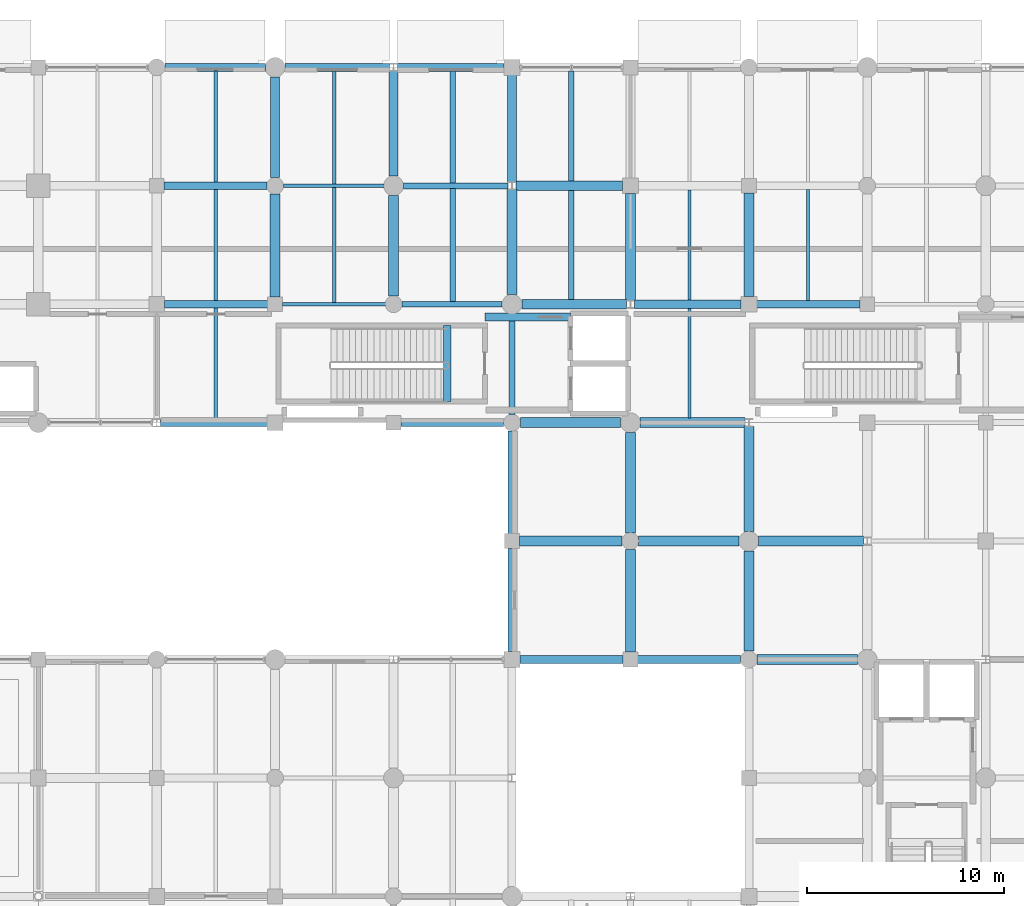
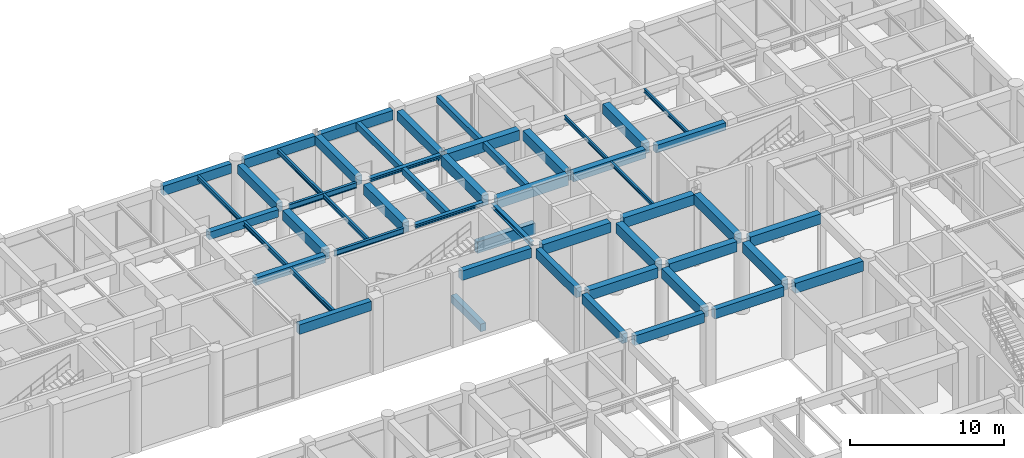
# One storey, part 65 of 106: 52 beams.
"""IFC4 building model written with IfcOpenShell, lengths in metres."""

from ifc_helpers import new_model, si_unit, direction, frame, origin, origin_2d, place, context, subcontext, project, spatial, rectangle, i_section, extrude, material, material_profile, profile_set, type_object, element, save


model = new_model("IFC4")

# Units and contexts
model_context = context("Model", 3, precision=1e-05, world=origin(), true_north=direction((0.0, 1.0)))
body_context = subcontext(model_context, "Body", "Model", "MODEL_VIEW")
ifc_project = project(units=[si_unit("LENGTHUNIT", "METRE"), si_unit("AREAUNIT", "SQUARE_METRE"), si_unit("VOLUMEUNIT", "CUBIC_METRE"), si_unit("PLANEANGLEUNIT", "RADIAN"), si_unit("MASSUNIT", "GRAM", prefix="KILO"), si_unit("THERMODYNAMICTEMPERATUREUNIT", "KELVIN"), si_unit("POWERUNIT", "WATT")], contexts=[model_context])

# Site, building, storey
site_placement = place(None, origin())
site = spatial("IfcSite", under=ifc_project, at=site_placement, CompositionType="ELEMENT")
building_placement = place(site_placement, origin())
building = spatial("IfcBuilding", under=site, at=building_placement, Name="Phaisarnlok Congress Hotel", CompositionType="ELEMENT")
storey_placement = place(building_placement, origin())
storey = spatial("IfcBuildingStorey", under=building, at=storey_placement, Name="L00", CompositionType="ELEMENT", Elevation=0.0)

# Beams
ifc_material_1 = material(Name="Concrete C40/50", Category="concrete")
ifc_material_profile_1 = material_profile(ifc_material_1, rectangle(XDim=0.39990234375, YDim=0.60009765625, at=origin_2d()), Name="RC 400x600")
ifc_profile_set_1 = profile_set([ifc_material_profile_1], Name="Concrete C40/50")
beam_type_1 = type_object("IfcBeamType", Name="BM-RC-400x600", PredefinedType="BEAM", material=ifc_profile_set_1)
beam_1_placement = place(storey_placement, frame((126.39501953125, 114.0, 5.43994140625), z_axis=(1.0, 0.0, 0.0), x_axis=(0.0, 1.0, 0.0)))
element("IfcBeam", 1, at=beam_1_placement, inside=storey, type_object=beam_type_1, Name="Beam B-02", PredefinedType="BEAM", context=body_context, shape_type="SweptSolid", body=[
    extrude(rectangle(XDim=0.39990234375, YDim=0.60009765625, at=origin_2d()), origin(), (0.0, 0.0, 1.0), 5.23486328125),
])
beam_2_placement = place(storey_placement, frame((126.3701171875, 120.0, 5.43994140625), z_axis=(1.0, 0.0, 0.0), x_axis=(0.0, 1.0, 0.0)))
element("IfcBeam", 2, at=beam_2_placement, inside=storey, type_object=beam_type_1, Name="Beam B-02", PredefinedType="BEAM", context=body_context, shape_type="SweptSolid", body=[
    extrude(rectangle(XDim=0.39990234375, YDim=0.60009765625, at=origin_2d()), origin(), (0.0, 0.0, 1.0), 5.2099609375),
])
beam_3_placement = place(storey_placement, frame((156.39501953125, 114.0, 5.43994140625), z_axis=(1.0, 0.0, 0.0), x_axis=(0.0, 1.0, 0.0)))
element("IfcBeam", 3, at=beam_3_placement, inside=storey, type_object=beam_type_1, Name="Beam B-02", PredefinedType="BEAM", context=body_context, shape_type="SweptSolid", body=[
    extrude(rectangle(XDim=0.39990234375, YDim=0.60009765625, at=origin_2d()), origin(), (0.0, 0.0, 1.0), 5.23486328125),
])
beam_4_placement = place(storey_placement, frame((140.719970703125, 109.080078125, -0.300048828125), z_axis=(0.0, 1.0, 0.0), x_axis=(-1.0, 0.0, 0.0)))
element("IfcBeam", 4, at=beam_4_placement, inside=storey, type_object=beam_type_1, Name="Stair landing header beam B-02 (CORE-2 L00)", PredefinedType="BEAM", context=body_context, shape_type="SweptSolid", body=[
    extrude(rectangle(XDim=0.39990234375, YDim=0.60009765625, at=origin_2d()), origin(), (0.0, 0.0, 1.0), 3.83984375),
])
ifc_material_profile_2 = material_profile(ifc_material_1, rectangle(XDim=0.449951171875, YDim=0.699951171875, at=origin_2d()), Name="RC 450x700")
ifc_profile_set_2 = profile_set([ifc_material_profile_2], Name="Concrete C40/50")
beam_type_2 = type_object("IfcBeamType", Name="BM-RC-450x700", PredefinedType="BEAM", material=ifc_profile_set_2)
beam_5_placement = place(storey_placement, frame((132.0, 120.419921875, 5.389892578125), z_axis=(0.0, 1.0, 0.0), x_axis=(-1.0, 0.0, 0.0)))
element("IfcBeam", 5, at=beam_5_placement, inside=storey, type_object=beam_type_2, Name="Beam B-03", PredefinedType="BEAM", context=body_context, shape_type="SweptSolid", body=[
    extrude(rectangle(XDim=0.449951171875, YDim=0.699951171875, at=origin_2d()), origin(), (0.0, 0.0, 1.0), 5.0849609375),
])
beam_6_placement = place(storey_placement, frame((138.0, 120.4951171875, 5.389892578125), z_axis=(0.0, 1.0, 0.0), x_axis=(-1.0, 0.0, 0.0)))
element("IfcBeam", 6, at=beam_6_placement, inside=storey, type_object=beam_type_2, Name="Beam B-03", PredefinedType="BEAM", context=body_context, shape_type="SweptSolid", body=[
    extrude(rectangle(XDim=0.449951171875, YDim=0.699951171875, at=origin_2d()), origin(), (0.0, 0.0, 1.0), 5.310302734375),
])
beam_7_placement = place(storey_placement, frame((144.0, 120.194580078125, 5.389892578125), z_axis=(0.0, 1.0, 0.0), x_axis=(-1.0, 0.0, 0.0)))
element("IfcBeam", 7, at=beam_7_placement, inside=storey, type_object=beam_type_2, Name="Beam B-03", PredefinedType="BEAM", context=body_context, shape_type="SweptSolid", body=[
    extrude(rectangle(XDim=0.449951171875, YDim=0.699951171875, at=origin_2d()), origin(), (0.0, 0.0, 1.0), 5.410400390625),
])
beam_8_placement = place(storey_placement, frame((150.195556640625, 114.0, 5.389892578125), z_axis=(1.0, 0.0, 0.0), x_axis=(0.0, 1.0, 0.0)))
element("IfcBeam", 8, at=beam_8_placement, inside=storey, type_object=beam_type_2, Name="Beam B-03", PredefinedType="BEAM", context=body_context, shape_type="SweptSolid", body=[
    extrude(rectangle(XDim=0.449951171875, YDim=0.699951171875, at=origin_2d()), origin(), (0.0, 0.0, 1.0), 5.409423828125),
])
ifc_material_profile_3 = material_profile(ifc_material_1, rectangle(XDim=0.5, YDim=0.800048828125, at=origin_2d()), Name="RC 500x800")
ifc_profile_set_3 = profile_set([ifc_material_profile_3], Name="Concrete C40/50")
beam_type_3 = type_object("IfcBeamType", Name="BM-RC-500x800", PredefinedType="BEAM", material=ifc_profile_set_3)
beam_9_placement = place(storey_placement, frame((132.0, 114.3701171875, 5.340087890625), z_axis=(0.0, 1.0, 0.0), x_axis=(-1.0, 0.0, 0.0)))
element("IfcBeam", 9, at=beam_9_placement, inside=storey, type_object=beam_type_3, Name="Beam B-04", PredefinedType="BEAM", context=body_context, shape_type="SweptSolid", body=[
    extrude(rectangle(XDim=0.5, YDim=0.800048828125, at=origin_2d()), origin(), (0.0, 0.0, 1.0), 5.2099609375),
])
beam_10_placement = place(storey_placement, frame((138.0, 114.419921875, 5.340087890625), z_axis=(0.0, 1.0, 0.0), x_axis=(-1.0, 0.0, 0.0)))
element("IfcBeam", 10, at=beam_10_placement, inside=storey, type_object=beam_type_3, Name="Beam B-04", PredefinedType="BEAM", context=body_context, shape_type="SweptSolid", body=[
    extrude(rectangle(XDim=0.5, YDim=0.800048828125, at=origin_2d()), origin(), (0.0, 0.0, 1.0), 5.0849609375),
])
beam_11_placement = place(storey_placement, frame((144.3701171875, 102.0, 5.360107421875), z_axis=(1.0, 0.0, 0.0), x_axis=(0.0, 1.0, 0.0)))
element("IfcBeam", 11, at=beam_11_placement, inside=storey, type_object=beam_type_3, Name="Beam B-04", PredefinedType="BEAM", context=body_context, shape_type="SweptSolid", body=[
    extrude(rectangle(XDim=0.5, YDim=0.800048828125, at=origin_2d()), origin(), (0.0, 0.0, 1.0), 5.2099609375),
])
beam_12_placement = place(storey_placement, frame((144.419921875, 108.0, 5.340087890625), z_axis=(1.0, 0.0, 0.0), x_axis=(0.0, 1.0, 0.0)))
element("IfcBeam", 12, at=beam_12_placement, inside=storey, type_object=beam_type_3, Name="Beam B-04", PredefinedType="BEAM", context=body_context, shape_type="SweptSolid", body=[
    extrude(rectangle(XDim=0.5, YDim=0.800048828125, at=origin_2d()), origin(), (0.0, 0.0, 1.0), 5.0849609375),
])
beam_13_placement = place(storey_placement, frame((144.4951171875, 114.0, 5.340087890625), z_axis=(1.0, 0.0, 0.0), x_axis=(0.0, 1.0, 0.0)))
element("IfcBeam", 13, at=beam_13_placement, inside=storey, type_object=beam_type_3, Name="Beam B-04", PredefinedType="BEAM", context=body_context, shape_type="SweptSolid", body=[
    extrude(rectangle(XDim=0.5, YDim=0.800048828125, at=origin_2d()), origin(), (0.0, 0.0, 1.0), 5.309326171875),
])
beam_14_placement = place(storey_placement, frame((144.0, 114.4951171875, 5.340087890625), z_axis=(0.0, 1.0, 0.0), x_axis=(-1.0, 0.0, 0.0)))
element("IfcBeam", 14, at=beam_14_placement, inside=storey, type_object=beam_type_3, Name="Beam B-04", PredefinedType="BEAM", context=body_context, shape_type="SweptSolid", body=[
    extrude(rectangle(XDim=0.5, YDim=0.800048828125, at=origin_2d()), origin(), (0.0, 0.0, 1.0), 5.310302734375),
])
beam_15_placement = place(storey_placement, frame((144.195556640625, 120.0, 5.340087890625), z_axis=(1.0, 0.0, 0.0), x_axis=(0.0, 1.0, 0.0)))
element("IfcBeam", 15, at=beam_15_placement, inside=storey, type_object=beam_type_3, Name="Beam B-04", PredefinedType="BEAM", context=body_context, shape_type="SweptSolid", body=[
    extrude(rectangle(XDim=0.5, YDim=0.800048828125, at=origin_2d()), origin(), (0.0, 0.0, 1.0), 5.409423828125),
])
beam_16_placement = place(storey_placement, frame((150.0, 96.3701171875, 5.360107421875), z_axis=(0.0, 1.0, 0.0), x_axis=(-1.0, 0.0, 0.0)))
element("IfcBeam", 16, at=beam_16_placement, inside=storey, type_object=beam_type_3, Name="Beam B-04", PredefinedType="BEAM", context=body_context, shape_type="SweptSolid", body=[
    extrude(rectangle(XDim=0.5, YDim=0.800048828125, at=origin_2d()), origin(), (0.0, 0.0, 1.0), 5.2099609375),
])
for number, where, z_axis, x_axis, name in (
    (17, (150.419921875, 102.0, 5.360107421875), (1.0, 0.0, 0.0), (0.0, 1.0, 0.0), "Beam B-04"),
    (18, (150.0, 102.419921875, 5.360107421875), (0.0, 1.0, 0.0), (-1.0, 0.0, 0.0), "Beam B-04"),
):
    element("IfcBeam", number, at=place(storey_placement, frame(where, z_axis=z_axis, x_axis=x_axis)), inside=storey, type_object=beam_type_3, Name=name, PredefinedType="BEAM", context=body_context, shape_type="SweptSolid", body=[
        extrude(rectangle(XDim=0.5, YDim=0.800048828125, at=origin_2d()), origin(), (0.0, 0.0, 1.0), 5.0849609375),
    ])
beam_17_placement = place(storey_placement, frame((150.4951171875, 108.0, 5.340087890625), z_axis=(1.0, 0.0, 0.0), x_axis=(0.0, 1.0, 0.0)))
element("IfcBeam", 19, at=beam_17_placement, inside=storey, type_object=beam_type_3, Name="Beam B-04", PredefinedType="BEAM", context=body_context, shape_type="SweptSolid", body=[
    extrude(rectangle(XDim=0.5, YDim=0.800048828125, at=origin_2d()), origin(), (0.0, 0.0, 1.0), 5.309326171875),
])
beam_18_placement = place(storey_placement, frame((150.0, 114.194580078125, 5.340087890625), z_axis=(0.0, 1.0, 0.0), x_axis=(-1.0, 0.0, 0.0)))
element("IfcBeam", 20, at=beam_18_placement, inside=storey, type_object=beam_type_3, Name="Beam B-04", PredefinedType="BEAM", context=body_context, shape_type="SweptSolid", body=[
    extrude(rectangle(XDim=0.5, YDim=0.800048828125, at=origin_2d()), origin(), (0.0, 0.0, 1.0), 5.410400390625),
])
for number, where, z_axis, x_axis, name in (
    (21, (156.419921875, 96.0, 5.360107421875), (1.0, 0.0, 0.0), (0.0, 1.0, 0.0), "Beam B-04"),
    (22, (156.0, 96.419921875, 5.360107421875), (0.0, 1.0, 0.0), (-1.0, 0.0, 0.0), "Beam B-04"),
):
    element("IfcBeam", number, at=place(storey_placement, frame(where, z_axis=z_axis, x_axis=x_axis)), inside=storey, type_object=beam_type_3, Name=name, PredefinedType="BEAM", context=body_context, shape_type="SweptSolid", body=[
        extrude(rectangle(XDim=0.5, YDim=0.800048828125, at=origin_2d()), origin(), (0.0, 0.0, 1.0), 5.0849609375),
    ])
beam_19_placement = place(storey_placement, frame((156.4951171875, 102.0, 5.360107421875), z_axis=(1.0, 0.0, 0.0), x_axis=(0.0, 1.0, 0.0)))
element("IfcBeam", 23, at=beam_19_placement, inside=storey, type_object=beam_type_3, Name="Beam B-04", PredefinedType="BEAM", context=body_context, shape_type="SweptSolid", body=[
    extrude(rectangle(XDim=0.5, YDim=0.800048828125, at=origin_2d()), origin(), (0.0, 0.0, 1.0), 5.309326171875),
])
beam_20_placement = place(storey_placement, frame((156.0, 102.4951171875, 5.360107421875), z_axis=(0.0, 1.0, 0.0), x_axis=(-1.0, 0.0, 0.0)))
element("IfcBeam", 24, at=beam_20_placement, inside=storey, type_object=beam_type_3, Name="Beam B-04", PredefinedType="BEAM", context=body_context, shape_type="SweptSolid", body=[
    extrude(rectangle(XDim=0.5, YDim=0.800048828125, at=origin_2d()), origin(), (0.0, 0.0, 1.0), 5.310302734375),
])
beam_21_placement = place(storey_placement, frame((156.0, 114.39501953125, 5.340087890625), z_axis=(0.0, 1.0, 0.0), x_axis=(-1.0, 0.0, 0.0)))
element("IfcBeam", 25, at=beam_21_placement, inside=storey, type_object=beam_type_3, Name="Beam B-04", PredefinedType="BEAM", context=body_context, shape_type="SweptSolid", body=[
    extrude(rectangle(XDim=0.5, YDim=0.800048828125, at=origin_2d()), origin(), (0.0, 0.0, 1.0), 5.23486328125),
])
ifc_material_2 = material(Name="Steel S355", Category="steel")
ifc_material_profile_4 = material_profile(ifc_material_2, i_section(OverallWidth=0.300048828125, OverallDepth=0.2900390625, WebThickness=0.008544921875, FlangeThickness=0.013916015625, FilletRadius=0.027099609375, at=origin_2d()), Name="HEA 300")
ifc_profile_set_4 = profile_set([ifc_material_profile_4], Name="Steel S355")
beam_type_4 = type_object("IfcBeamType", Name="BM-STL-HEA300", PredefinedType="BEAM", material=ifc_profile_set_4)
beam_22_placement = place(storey_placement, frame((138.419921875, 114.0, 5.594970703125), z_axis=(1.0, 0.0, 0.0), x_axis=(0.0, 1.0, 0.0)))
element("IfcBeam", 26, at=beam_22_placement, inside=storey, type_object=beam_type_4, Name="Beam SB-05", PredefinedType="BEAM", context=body_context, shape_type="SweptSolid", body=[
    extrude(i_section(OverallWidth=0.300048828125, OverallDepth=0.2900390625, WebThickness=0.008544921875, FlangeThickness=0.013916015625, FilletRadius=0.027099609375, at=origin_2d()), origin(), (0.0, 0.0, 1.0), 5.0849609375),
])
beam_23_placement = place(storey_placement, frame((138.4951171875, 120.0, 5.594970703125), z_axis=(1.0, 0.0, 0.0), x_axis=(0.0, 1.0, 0.0)))
element("IfcBeam", 27, at=beam_23_placement, inside=storey, type_object=beam_type_4, Name="Beam SB-05", PredefinedType="BEAM", context=body_context, shape_type="SweptSolid", body=[
    extrude(i_section(OverallWidth=0.300048828125, OverallDepth=0.2900390625, WebThickness=0.008544921875, FlangeThickness=0.013916015625, FilletRadius=0.027099609375, at=origin_2d()), origin(), (0.0, 0.0, 1.0), 5.309326171875),
])
ifc_material_profile_5 = material_profile(ifc_material_2, i_section(OverallWidth=0.300048828125, OverallDepth=0.340087890625, WebThickness=0.011962890625, FlangeThickness=0.021484375, FilletRadius=0.027099609375, at=origin_2d()), Name="HEB 340")
ifc_profile_set_5 = profile_set([ifc_material_profile_5], Name="Steel S355")
beam_type_5 = type_object("IfcBeamType", Name="BM-STL-HEB340", PredefinedType="BEAM", material=ifc_profile_set_5)
beam_24_placement = place(storey_placement, frame((144.0, 108.419921875, 5.570068359375), z_axis=(0.0, 1.0, 0.0), x_axis=(-1.0, 0.0, 0.0)))
element("IfcBeam", 28, at=beam_24_placement, inside=storey, type_object=beam_type_5, Name="Beam SB-07", PredefinedType="BEAM", context=body_context, shape_type="SweptSolid", body=[
    extrude(i_section(OverallWidth=0.300048828125, OverallDepth=0.340087890625, WebThickness=0.011962890625, FlangeThickness=0.021484375, FilletRadius=0.027099609375, at=origin_2d()), origin(), (0.0, 0.0, 1.0), 5.0849609375),
])
ifc_material_profile_6 = material_profile(ifc_material_2, i_section(OverallWidth=0.18994140625, OverallDepth=0.449951171875, WebThickness=0.009521484375, FlangeThickness=0.0146484375, FilletRadius=0.02099609375, at=origin_2d()), Name="IPE 450")
ifc_profile_set_6 = profile_set([ifc_material_profile_6], Name="Steel S355")
beam_type_6 = type_object("IfcBeamType", Name="BM-STL-IPE450", PredefinedType="BEAM", material=ifc_profile_set_6)
beam_25_placement = place(storey_placement, frame((132.3701171875, 114.0, 5.514892578125), z_axis=(1.0, 0.0, 0.0), x_axis=(0.0, 1.0, 0.0)))
element("IfcBeam", 29, at=beam_25_placement, inside=storey, type_object=beam_type_6, Name="Beam SB-01", PredefinedType="BEAM", context=body_context, shape_type="SweptSolid", body=[
    extrude(i_section(OverallWidth=0.18994140625, OverallDepth=0.449951171875, WebThickness=0.009521484375, FlangeThickness=0.0146484375, FilletRadius=0.02099609375, at=origin_2d()), origin(), (0.0, 0.0, 1.0), 5.2099609375),
])
beam_26_placement = place(storey_placement, frame((132.419921875, 120.0, 5.514892578125), z_axis=(1.0, 0.0, 0.0), x_axis=(0.0, 1.0, 0.0)))
element("IfcBeam", 30, at=beam_26_placement, inside=storey, type_object=beam_type_6, Name="Beam SB-01", PredefinedType="BEAM", context=body_context, shape_type="SweptSolid", body=[
    extrude(i_section(OverallWidth=0.18994140625, OverallDepth=0.449951171875, WebThickness=0.009521484375, FlangeThickness=0.0146484375, FilletRadius=0.02099609375, at=origin_2d()), origin(), (0.0, 0.0, 1.0), 5.0849609375),
])
ifc_material_profile_7 = material_profile(ifc_material_1, rectangle(XDim=0.300048828125, YDim=0.5, at=origin_2d()), Name="RC 300x500")
ifc_profile_set_7 = profile_set([ifc_material_profile_7], Name="Concrete C40/50")
beam_type_7 = type_object("IfcBeamType", Name="JS-RC-300x500", PredefinedType="JOIST", material=ifc_profile_set_7)
beam_27_placement = place(storey_placement, frame((141.0, 114.14501953125, 5.489990234375), z_axis=(0.0, 1.0, 0.0), x_axis=(-1.0, 0.0, 0.0)))
element("IfcBeam", 31, at=beam_27_placement, inside=storey, type_object=beam_type_7, Name="Secondary floor joist J-01", PredefinedType="JOIST", context=body_context, shape_type="SweptSolid", body=[
    extrude(rectangle(XDim=0.300048828125, YDim=0.5, at=origin_2d()), origin(), (0.0, 0.0, 1.0), 5.7099609375),
])
beam_28_placement = place(storey_placement, frame((141.0, 120.14501953125, 5.489990234375), z_axis=(0.0, 1.0, 0.0), x_axis=(-1.0, 0.0, 0.0)))
element("IfcBeam", 32, at=beam_28_placement, inside=storey, type_object=beam_type_7, Name="Secondary floor joist J-01", PredefinedType="JOIST", context=body_context, shape_type="SweptSolid", body=[
    extrude(rectangle(XDim=0.300048828125, YDim=0.5, at=origin_2d()), origin(), (0.0, 0.0, 1.0), 5.659912109375),
])
beam_29_placement = place(storey_placement, frame((147.0, 114.2451171875, 5.489990234375), z_axis=(0.0, 1.0, 0.0), x_axis=(-1.0, 0.0, 0.0)))
element("IfcBeam", 33, at=beam_29_placement, inside=storey, type_object=beam_type_7, Name="Secondary floor joist J-01", PredefinedType="JOIST", context=body_context, shape_type="SweptSolid", body=[
    extrude(rectangle(XDim=0.300048828125, YDim=0.5, at=origin_2d()), origin(), (0.0, 0.0, 1.0), 5.509765625),
])
beam_30_placement = place(storey_placement, frame((147.0, 120.2451171875, 5.489990234375), z_axis=(0.0, 1.0, 0.0), x_axis=(-1.0, 0.0, 0.0)))
element("IfcBeam", 34, at=beam_30_placement, inside=storey, type_object=beam_type_7, Name="Secondary floor joist J-01", PredefinedType="JOIST", context=body_context, shape_type="SweptSolid", body=[
    extrude(rectangle(XDim=0.300048828125, YDim=0.5, at=origin_2d()), origin(), (0.0, 0.0, 1.0), 5.559814453125),
])
ifc_material_profile_8 = material_profile(ifc_material_2, i_section(OverallWidth=0.14990234375, OverallDepth=0.300048828125, WebThickness=0.007080078125, FlangeThickness=0.0107421875, FilletRadius=0.014892578125, at=origin_2d()), Name="IPE 300")
ifc_profile_set_8 = profile_set([ifc_material_profile_8], Name="Steel S355")
beam_type_8 = type_object("IfcBeamType", Name="JS-STL-IPE300", PredefinedType="JOIST", material=ifc_profile_set_8)
beam_31_placement = place(storey_placement, frame((153.0, 108.2451171875, 5.590087890625), z_axis=(0.0, 1.0, 0.0), x_axis=(-1.0, 0.0, 0.0)))
element("IfcBeam", 35, at=beam_31_placement, inside=storey, type_object=beam_type_8, Name="Secondary floor joist J-03", PredefinedType="JOIST", context=body_context, shape_type="SweptSolid", body=[
    extrude(i_section(OverallWidth=0.14990234375, OverallDepth=0.300048828125, WebThickness=0.007080078125, FlangeThickness=0.0107421875, FilletRadius=0.014892578125, at=origin_2d()), origin(), (0.0, 0.0, 1.0), 5.534912109375),
])
beam_32_placement = place(storey_placement, frame((153.0, 114.219970703125, 5.590087890625), z_axis=(0.0, 1.0, 0.0), x_axis=(-1.0, 0.0, 0.0)))
element("IfcBeam", 36, at=beam_32_placement, inside=storey, type_object=beam_type_8, Name="Secondary floor joist J-03", PredefinedType="JOIST", context=body_context, shape_type="SweptSolid", body=[
    extrude(i_section(OverallWidth=0.14990234375, OverallDepth=0.300048828125, WebThickness=0.007080078125, FlangeThickness=0.0107421875, FilletRadius=0.014892578125, at=origin_2d()), origin(), (0.0, 0.0, 1.0), 5.56005859375),
])
beam_33_placement = place(storey_placement, frame((159.0, 114.195068359375, 5.590087890625), z_axis=(0.0, 1.0, 0.0), x_axis=(-1.0, 0.0, 0.0)))
element("IfcBeam", 37, at=beam_33_placement, inside=storey, type_object=beam_type_8, Name="Secondary floor joist J-03", PredefinedType="JOIST", context=body_context, shape_type="SweptSolid", body=[
    extrude(i_section(OverallWidth=0.14990234375, OverallDepth=0.300048828125, WebThickness=0.007080078125, FlangeThickness=0.0107421875, FilletRadius=0.014892578125, at=origin_2d()), origin(), (0.0, 0.0, 1.0), 5.60986328125),
])
ifc_material_profile_9 = material_profile(ifc_material_2, i_section(OverallWidth=0.169921875, OverallDepth=0.360107421875, WebThickness=0.008056640625, FlangeThickness=0.0126953125, FilletRadius=0.01806640625, at=origin_2d()), Name="IPE 360")
ifc_profile_set_9 = profile_set([ifc_material_profile_9], Name="Steel S355")
beam_type_9 = type_object("IfcBeamType", Name="JS-STL-IPE360", PredefinedType="JOIST", material=ifc_profile_set_9)
for number, where, z_axis, x_axis, name in (
    (38, (129.0, 108.195068359375, 5.56005859375), (0.0, 1.0, 0.0), (-1.0, 0.0, 0.0), "Secondary floor joist J-04"),
    (39, (129.0, 114.195068359375, 5.56005859375), (0.0, 1.0, 0.0), (-1.0, 0.0, 0.0), "Secondary floor joist J-04"),
    (40, (129.0, 120.195068359375, 5.56005859375), (0.0, 1.0, 0.0), (-1.0, 0.0, 0.0), "Secondary floor joist J-04"),
):
    element("IfcBeam", number, at=place(storey_placement, frame(where, z_axis=z_axis, x_axis=x_axis)), inside=storey, type_object=beam_type_9, Name=name, PredefinedType="JOIST", context=body_context, shape_type="SweptSolid", body=[
        extrude(i_section(OverallWidth=0.169921875, OverallDepth=0.360107421875, WebThickness=0.008056640625, FlangeThickness=0.0126953125, FilletRadius=0.01806640625, at=origin_2d()), origin(), (0.0, 0.0, 1.0), 5.60986328125),
    ])
beam_34_placement = place(storey_placement, frame((135.0, 114.090087890625, 5.56005859375), z_axis=(0.0, 1.0, 0.0), x_axis=(-1.0, 0.0, 0.0)))
element("IfcBeam", 41, at=beam_34_placement, inside=storey, type_object=beam_type_9, Name="Secondary floor joist J-04", PredefinedType="JOIST", context=body_context, shape_type="SweptSolid", body=[
    extrude(i_section(OverallWidth=0.169921875, OverallDepth=0.360107421875, WebThickness=0.008056640625, FlangeThickness=0.0126953125, FilletRadius=0.01806640625, at=origin_2d()), origin(), (0.0, 0.0, 1.0), 5.81982421875),
])
beam_35_placement = place(storey_placement, frame((135.0, 120.090087890625, 5.56005859375), z_axis=(0.0, 1.0, 0.0), x_axis=(-1.0, 0.0, 0.0)))
element("IfcBeam", 42, at=beam_35_placement, inside=storey, type_object=beam_type_9, Name="Secondary floor joist J-04", PredefinedType="JOIST", context=body_context, shape_type="SweptSolid", body=[
    extrude(i_section(OverallWidth=0.169921875, OverallDepth=0.360107421875, WebThickness=0.008056640625, FlangeThickness=0.0126953125, FilletRadius=0.01806640625, at=origin_2d()), origin(), (0.0, 0.0, 1.0), 5.71484375),
])
ifc_material_3 = material(Name="Concrete C50/60", Category="concrete")
ifc_material_profile_10 = material_profile(ifc_material_3, rectangle(XDim=0.39990234375, YDim=0.89990234375, at=origin_2d()), Name="RC 400x900")
ifc_profile_set_10 = profile_set([ifc_material_profile_10], Name="Concrete C50/60")
beam_type_10 = type_object("IfcBeamType", Name="LN-RC-400x900", PredefinedType="LINTEL", material=ifc_profile_set_10)
beam_36_placement = place(storey_placement, frame((142.6298828125, 113.35009765625, 2.85009765625), z_axis=(1.0, 0.0, 0.0), x_axis=(0.0, 1.0, 0.0)))
element("IfcBeam", 43, at=beam_36_placement, inside=storey, type_object=beam_type_10, Name="Core coupling lintel beam LN-01", PredefinedType="LINTEL", context=body_context, shape_type="SweptSolid", body=[
    extrude(rectangle(XDim=0.39990234375, YDim=0.89990234375, at=origin_2d()), origin(), (0.0, 0.0, 1.0), 4.340087890625),
])
ifc_material_profile_11 = material_profile(ifc_material_1, rectangle(XDim=0.39990234375, YDim=0.75, at=origin_2d()), Name="RC 400x750")
ifc_profile_set_11 = profile_set([ifc_material_profile_11], Name="Concrete C40/50")
beam_type_11 = type_object("IfcBeamType", Name="SP-RC-400x750", PredefinedType="SPANDREL", material=ifc_profile_set_11)
beam_37_placement = place(storey_placement, frame((126.195556640625, 108.0, 5.364990234375), z_axis=(1.0, 0.0, 0.0), x_axis=(0.0, 1.0, 0.0)))
element("IfcBeam", 44, at=beam_37_placement, inside=storey, type_object=beam_type_11, Name="Beam SP-02", PredefinedType="SPANDREL", context=body_context, shape_type="SweptSolid", body=[
    extrude(rectangle(XDim=0.39990234375, YDim=0.75, at=origin_2d()), origin(), (0.0, 0.0, 1.0), 5.409423828125),
])
beam_38_placement = place(storey_placement, frame((126.419921875, 126.0, 5.364990234375), z_axis=(1.0, 0.0, 0.0), x_axis=(0.0, 1.0, 0.0)))
element("IfcBeam", 45, at=beam_38_placement, inside=storey, type_object=beam_type_11, Name="Beam SP-02", PredefinedType="SPANDREL", context=body_context, shape_type="SweptSolid", body=[
    extrude(rectangle(XDim=0.39990234375, YDim=0.75, at=origin_2d()), origin(), (0.0, 0.0, 1.0), 5.0849609375),
])
beam_39_placement = place(storey_placement, frame((132.4951171875, 126.0, 5.364990234375), z_axis=(1.0, 0.0, 0.0), x_axis=(0.0, 1.0, 0.0)))
element("IfcBeam", 46, at=beam_39_placement, inside=storey, type_object=beam_type_11, Name="Beam SP-02", PredefinedType="SPANDREL", context=body_context, shape_type="SweptSolid", body=[
    extrude(rectangle(XDim=0.39990234375, YDim=0.75, at=origin_2d()), origin(), (0.0, 0.0, 1.0), 5.309326171875),
])
beam_40_placement = place(storey_placement, frame((138.3701171875, 108.0, 5.364990234375), z_axis=(1.0, 0.0, 0.0), x_axis=(0.0, 1.0, 0.0)))
element("IfcBeam", 47, at=beam_40_placement, inside=storey, type_object=beam_type_11, Name="Beam SP-02", PredefinedType="SPANDREL", context=body_context, shape_type="SweptSolid", body=[
    extrude(rectangle(XDim=0.39990234375, YDim=0.75, at=origin_2d()), origin(), (0.0, 0.0, 1.0), 5.2099609375),
])
beam_41_placement = place(storey_placement, frame((138.195556640625, 126.0, 5.364990234375), z_axis=(1.0, 0.0, 0.0), x_axis=(0.0, 1.0, 0.0)))
element("IfcBeam", 48, at=beam_41_placement, inside=storey, type_object=beam_type_11, Name="Beam SP-02", PredefinedType="SPANDREL", context=body_context, shape_type="SweptSolid", body=[
    extrude(rectangle(XDim=0.39990234375, YDim=0.75, at=origin_2d()), origin(), (0.0, 0.0, 1.0), 5.409423828125),
])
for number, where, z_axis, x_axis, name in (
    (49, (144.39501953125, 96.0, 5.385009765625), (1.0, 0.0, 0.0), (0.0, 1.0, 0.0), "Beam SP-02"),
    (50, (144.0, 96.39501953125, 5.385009765625), (0.0, 1.0, 0.0), (-1.0, 0.0, 0.0), "Beam SP-02"),
):
    element("IfcBeam", number, at=place(storey_placement, frame(where, z_axis=z_axis, x_axis=x_axis)), inside=storey, type_object=beam_type_11, Name=name, PredefinedType="SPANDREL", context=body_context, shape_type="SweptSolid", body=[
        extrude(rectangle(XDim=0.39990234375, YDim=0.75, at=origin_2d()), origin(), (0.0, 0.0, 1.0), 5.23486328125),
    ])
for number, where, z_axis, x_axis, name in (
    (51, (144.0, 102.3701171875, 5.385009765625), (0.0, 1.0, 0.0), (-1.0, 0.0, 0.0), "Beam SP-02"),
    (52, (150.3701171875, 96.0, 5.385009765625), (1.0, 0.0, 0.0), (0.0, 1.0, 0.0), "Beam SP-02"),
):
    element("IfcBeam", number, at=place(storey_placement, frame(where, z_axis=z_axis, x_axis=x_axis)), inside=storey, type_object=beam_type_11, Name=name, PredefinedType="SPANDREL", context=body_context, shape_type="SweptSolid", body=[
        extrude(rectangle(XDim=0.39990234375, YDim=0.75, at=origin_2d()), origin(), (0.0, 0.0, 1.0), 5.2099609375),
    ])

save(model, "model.ifc")
